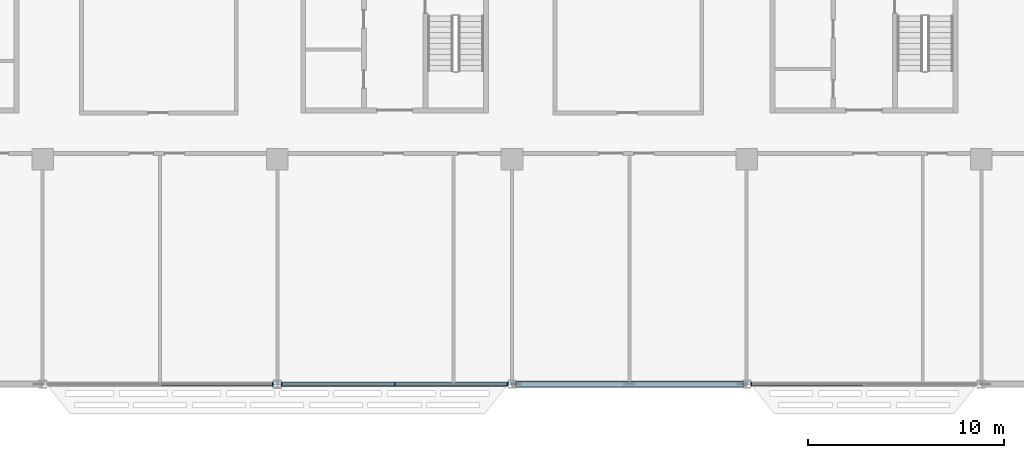
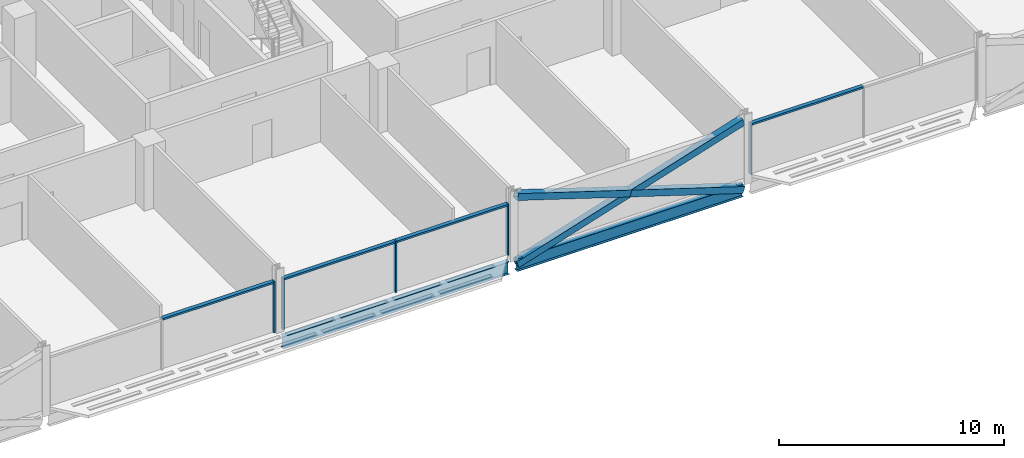
# One storey, part 6 of 30: 12 members, 2 beams, 3 elements without a shape of their own.
"""IFC4 building model written with IfcOpenShell, lengths in metres."""

from ifc_helpers import new_model, si_unit, direction, frame, origin, origin_2d, place, context, subcontext, project, spatial, rectangle, hollow_rectangle, i_section, extrude, material, material_profile, profile_set, type_object, element, aggregate, save


model = new_model("IFC4")

# Units and contexts
model_context = context("Model", 3, precision=1e-05, world=origin(), true_north=direction((0.0, 1.0)))
body_context = subcontext(model_context, "Body", "Model", "MODEL_VIEW")
ifc_project = project(units=[si_unit("LENGTHUNIT", "METRE"), si_unit("AREAUNIT", "SQUARE_METRE"), si_unit("VOLUMEUNIT", "CUBIC_METRE"), si_unit("PLANEANGLEUNIT", "RADIAN"), si_unit("MASSUNIT", "GRAM", prefix="KILO")], contexts=[model_context])

# Site, building, storey
site_placement = place(None, origin())
site = spatial("IfcSite", under=ifc_project, at=site_placement, CompositionType="ELEMENT")
building_placement = place(site_placement, origin())
building = spatial("IfcBuilding", under=site, at=building_placement, Name="Mahtab Terrace Research Tower", CompositionType="ELEMENT")
storey_placement = place(building_placement, frame((0.0, 0.0, 205.300048828125)))
storey = spatial("IfcBuildingStorey", under=building, at=storey_placement, Name="L49", CompositionType="ELEMENT", Elevation=205.300048828125)

# Members
ifc_material_1 = material(Name="Steel ASTM A500 Gr C", Category="steel")
ifc_material_profile_1 = material_profile(ifc_material_1, hollow_rectangle(XDim=0.355712890625, YDim=0.355712890625, WallThickness=0.015869140625, at=origin_2d()), Name="HSS14X14X5/8")
ifc_profile_set_1 = profile_set([ifc_material_profile_1], Name="Steel ASTM A500 Gr C")
member_type_1 = type_object("IfcMemberType", Name="HSS 14x14x5/8 brace XB141458", PredefinedType="BRACE", material=ifc_profile_set_1)
member_1_placement = place(storey_placement, frame((6.20068359375, -23.0, -0.61572265625), z_axis=(0.953337604941, 0.0, 0.301906295073), x_axis=(0.0, 1.0, 0.0)))
element("IfcMember", 1, at=member_1_placement, inside=storey, type_object=member_type_1, Name="Exoskeleton brace L49 17 a", PredefinedType="BRACE", context=body_context, shape_type="SweptSolid", body=[
    extrude(hollow_rectangle(XDim=0.355712890625, YDim=0.355712890625, WallThickness=0.015869140625, at=origin_2d()), origin(), (0.0, 0.0, 1.0), 12.166259765625),
])
for number, where, z_axis, x_axis, name in (
    (2, (17.79931640625, -23.0, -0.61572265625), (-0.953331829178, 0.0, 0.301924532749), (0.0, -1.0, 0.0), "Exoskeleton brace L49 17 b1"),
    (3, (12.0, -23.0, 1.220947265625), (-0.953343380425, 0.0, 0.301888057067), (0.0, -1.0, 0.0), "Exoskeleton brace L49 17 b2"),
):
    element("IfcMember", number, at=place(storey_placement, frame(where, z_axis=z_axis, x_axis=x_axis)), inside=storey, type_object=member_type_1, Name=name, PredefinedType="BRACE", context=body_context, shape_type="SweptSolid", body=[
        extrude(hollow_rectangle(XDim=0.355712890625, YDim=0.355712890625, WallThickness=0.015869140625, at=origin_2d()), origin(), (0.0, 0.0, 1.0), 6.083251953125),
    ])

# Curtain wall, member
ifc_material_2 = material(Name="Laboratory ribbon curtain wall")
curtain_wall_type = type_object("IfcCurtainWallType", Name="Laboratory ribbon curtain wall", PredefinedType="NOTDEFINED", material=ifc_material_2)
curtain_wall_1_placement = place(storey_placement, origin())
curtain_wall_1 = element("IfcCurtainWall", 4, at=curtain_wall_1_placement, inside=storey, type_object=curtain_wall_type, Name="EN.L49.13.25", PredefinedType="NOTDEFINED")
ifc_material_3 = material(Name="Natural anodised aluminium", Category="aluminium")
ifc_material_profile_2 = material_profile(ifc_material_3, rectangle(XDim=0.199951171875, YDim=0.06494140625, at=origin_2d()), Name="MULLION 65x200")
ifc_profile_set_2 = profile_set([ifc_material_profile_2], Name="Natural anodised aluminium")
member_type_2 = type_object("IfcMemberType", Name="Laboratory ribbon curtain wall mullion", PredefinedType="MULLION", material=ifc_profile_set_2)
member_2_placement = place(storey_placement, frame((-6.232421875, -23.0, 0.0), z_axis=(0.0, 0.0, 1.0), x_axis=(0.0, 1.0, 0.0)))
member_2 = element("IfcMember", 5, at=member_2_placement, type_object=member_type_2, Name="CWL-6 mullion 3", PredefinedType="MULLION", context=body_context, shape_type="SweptSolid", body=[
    extrude(rectangle(XDim=0.199951171875, YDim=0.06494140625, at=origin_2d()), origin(), (0.0, 0.0, 1.0), 2.78173828125),
])

# Curtain wall, members
curtain_wall_2_placement = place(storey_placement, origin())
curtain_wall_2 = element("IfcCurtainWall", 6, at=curtain_wall_2_placement, inside=storey, type_object=curtain_wall_type, Name="EN.L49.13.26", PredefinedType="NOTDEFINED")
member_3_placement = place(storey_placement, frame((-5.767578125, -23.0, 0.0), z_axis=(0.0, 0.0, 1.0), x_axis=(0.0, 1.0, 0.0)))
member_3 = element("IfcMember", 7, at=member_3_placement, type_object=member_type_2, Name="CWL-6 mullion 1", PredefinedType="MULLION", context=body_context, shape_type="SweptSolid", body=[
    extrude(rectangle(XDim=0.199951171875, YDim=0.06494140625, at=origin_2d()), origin(), (0.0, 0.0, 1.0), 2.78173828125),
])
member_4_placement = place(storey_placement, frame((0.0, -23.0, 0.0), z_axis=(0.0, 0.0, 1.0), x_axis=(0.0, 1.0, 0.0)))
member_4 = element("IfcMember", 8, at=member_4_placement, type_object=member_type_2, Name="CWL-6 mullion 2", PredefinedType="MULLION", context=body_context, shape_type="SweptSolid", body=[
    extrude(rectangle(XDim=0.199951171875, YDim=0.06494140625, at=origin_2d()), origin(), (0.0, 0.0, 1.0), 2.78173828125),
])
member_5_placement = place(storey_placement, frame((5.767578125, -23.0, 0.0), z_axis=(0.0, 0.0, 1.0), x_axis=(0.0, 1.0, 0.0)))
member_5 = element("IfcMember", 9, at=member_5_placement, type_object=member_type_2, Name="CWL-6 mullion 3", PredefinedType="MULLION", context=body_context, shape_type="SweptSolid", body=[
    extrude(rectangle(XDim=0.199951171875, YDim=0.06494140625, at=origin_2d()), origin(), (0.0, 0.0, 1.0), 2.78173828125),
])

# Curtain wall, member
curtain_wall_3_placement = place(storey_placement, origin())
curtain_wall_3 = element("IfcCurtainWall", 10, at=curtain_wall_3_placement, inside=storey, type_object=curtain_wall_type, Name="EN.L49.13.28", PredefinedType="NOTDEFINED")
member_6_placement = place(storey_placement, frame((18.232421875, -23.0, 0.0), z_axis=(0.0, 0.0, 1.0), x_axis=(0.0, 1.0, 0.0)))
member_6 = element("IfcMember", 11, at=member_6_placement, type_object=member_type_2, Name="CWL-6 mullion 1", PredefinedType="MULLION", context=body_context, shape_type="SweptSolid", body=[
    extrude(rectangle(XDim=0.199951171875, YDim=0.06494140625, at=origin_2d()), origin(), (0.0, 0.0, 1.0), 2.78173828125),
])

# Member
ifc_material_profile_3 = material_profile(ifc_material_3, rectangle(XDim=0.199951171875, YDim=0.10009765625, at=origin_2d()), Name="TRANSOM 100x200")
ifc_profile_set_3 = profile_set([ifc_material_profile_3], Name="Natural anodised aluminium")
member_type_3 = type_object("IfcMemberType", Name="Laboratory ribbon curtain wall transom", PredefinedType="USERDEFINED", material=ifc_profile_set_3)
member_7_placement = place(storey_placement, frame((-11.967529296875, -23.0, 2.731689453125), z_axis=(1.0, 0.0, 0.0), x_axis=(0.0, 1.0, 0.0)))
member_7 = element("IfcMember", 12, at=member_7_placement, type_object=member_type_3, Name="CWL-6 transom 2", ObjectType="TRANSOM", PredefinedType="USERDEFINED", context=body_context, shape_type="SweptSolid", body=[
    extrude(rectangle(XDim=0.199951171875, YDim=0.10009765625, at=origin_2d()), origin(), (0.0, 0.0, 1.0), 5.70263671875),
])

aggregate(curtain_wall_1, [member_2, member_7])

member_8_placement = place(storey_placement, frame((-5.735107421875, -23.0, 2.731689453125), z_axis=(1.0, 0.0, 0.0), x_axis=(0.0, 1.0, 0.0)))
member_8 = element("IfcMember", 13, at=member_8_placement, type_object=member_type_3, Name="CWL-6 transom 1", ObjectType="TRANSOM", PredefinedType="USERDEFINED", context=body_context, shape_type="SweptSolid", body=[
    extrude(rectangle(XDim=0.199951171875, YDim=0.10009765625, at=origin_2d()), origin(), (0.0, 0.0, 1.0), 5.70263671875),
])

member_9_placement = place(storey_placement, frame((0.032470703125, -23.0, 2.731689453125), z_axis=(1.0, 0.0, 0.0), x_axis=(0.0, 1.0, 0.0)))
member_9 = element("IfcMember", 14, at=member_9_placement, type_object=member_type_3, Name="CWL-6 transom 2", ObjectType="TRANSOM", PredefinedType="USERDEFINED", context=body_context, shape_type="SweptSolid", body=[
    extrude(rectangle(XDim=0.199951171875, YDim=0.10009765625, at=origin_2d()), origin(), (0.0, 0.0, 1.0), 5.70263671875),
])

aggregate(curtain_wall_2, [member_3, member_4, member_5, member_8, member_9])

member_10_placement = place(storey_placement, frame((18.264892578125, -23.0, 2.731689453125), z_axis=(1.0, 0.0, 0.0), x_axis=(0.0, 1.0, 0.0)))
member_10 = element("IfcMember", 15, at=member_10_placement, type_object=member_type_3, Name="CWL-6 transom 1", ObjectType="TRANSOM", PredefinedType="USERDEFINED", context=body_context, shape_type="SweptSolid", body=[
    extrude(rectangle(XDim=0.199951171875, YDim=0.10009765625, at=origin_2d()), origin(), (0.0, 0.0, 1.0), 5.70263671875),
])

aggregate(curtain_wall_3, [member_6, member_10])

# Beams
ifc_material_4 = material(Name="Steel ASTM A992 Gr 50", Category="steel")
ifc_material_profile_4 = material_profile(ifc_material_4, i_section(OverallWidth=0.25390625, OverallDepth=0.67822265625, WebThickness=0.01171875, FlangeThickness=0.016357421875, at=origin_2d()), Name="W27X84")
ifc_profile_set_4 = profile_set([ifc_material_profile_4], Name="Steel ASTM A992 Gr 50")
beam_type = type_object("IfcBeamType", Name="W27x84 beam BS2784", PredefinedType="BEAM", material=ifc_profile_set_4)
for number, where, z_axis, x_axis, name in (
    (16, (-5.79931640625, -23.0, -0.67919921875), (1.0, 0.0, 0.0), (0.0, 1.0, 0.0), "Spandrel beam L49 16"),
    (17, (6.20068359375, -23.0, -0.67919921875), (1.0, 0.0, 0.0), (0.0, 1.0, 0.0), "Spandrel beam L49 17"),
):
    element("IfcBeam", number, at=place(storey_placement, frame(where, z_axis=z_axis, x_axis=x_axis)), inside=storey, type_object=beam_type, Name=name, PredefinedType="BEAM", context=body_context, shape_type="SweptSolid", body=[
        extrude(i_section(OverallWidth=0.25390625, OverallDepth=0.67822265625, WebThickness=0.01171875, FlangeThickness=0.016357421875, at=origin_2d()), origin(), (0.0, 0.0, 1.0), 11.5986328125),
    ])

save(model, "model.ifc")
